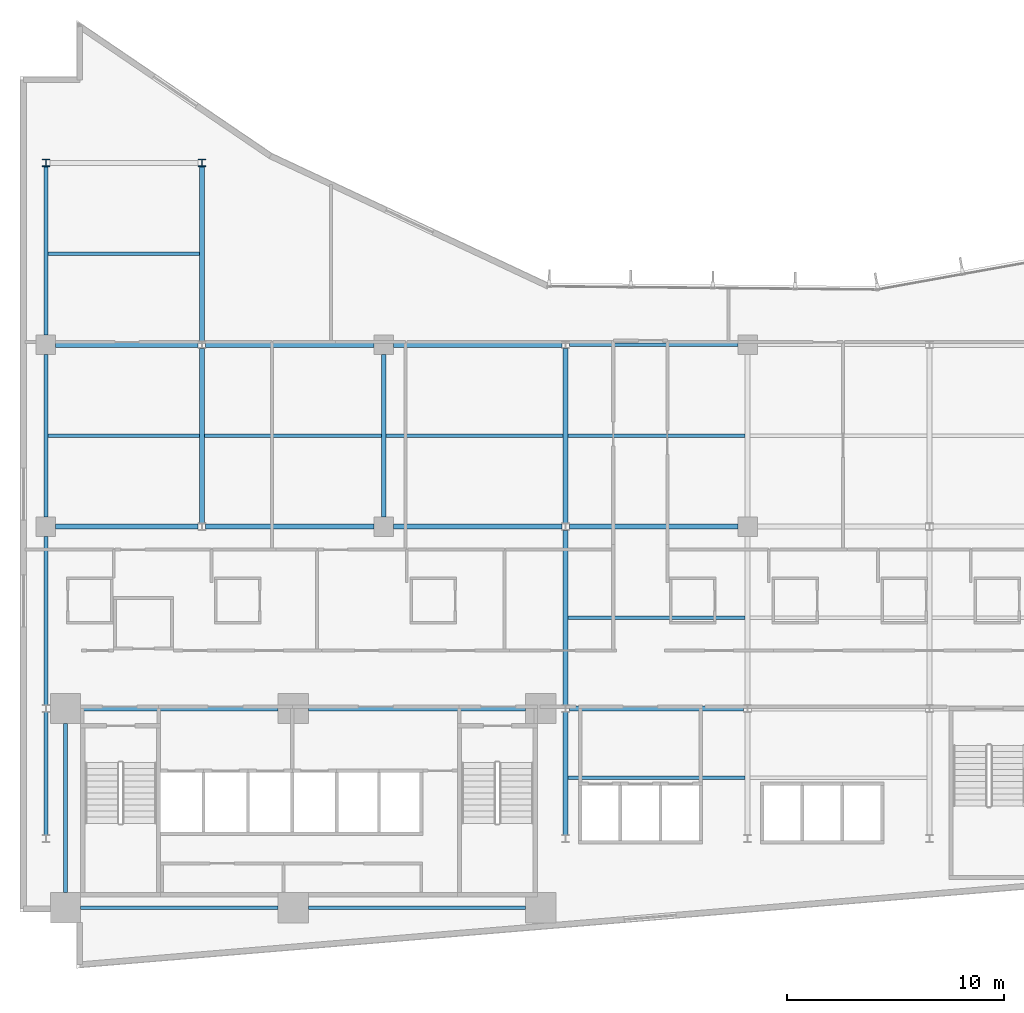
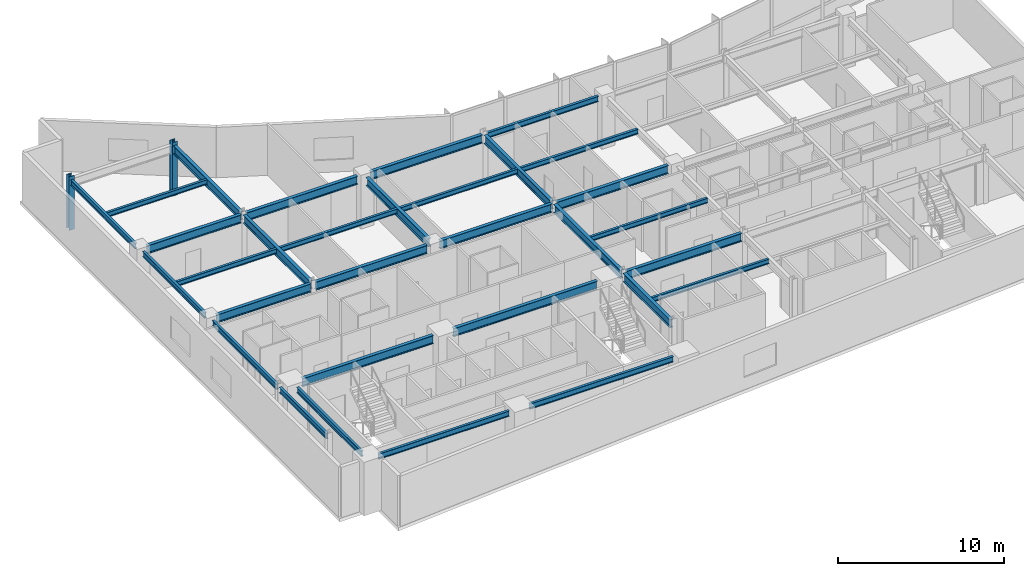
# One storey, part 3 of 19: 31 beams, 2 columns.
"""IFC4 building model written with IfcOpenShell, lengths in metres."""

from ifc_helpers import new_model, si_unit, direction, frame, origin, origin_2d, place, context, subcontext, project, spatial, i_section, extrude, material, material_profile, profile_set, type_object, element, save


model = new_model("IFC4")

# Units and contexts
model_context = context("Model", 3, precision=1e-05, world=origin(), true_north=direction((0.0, 1.0)))
body_context = subcontext(model_context, "Body", "Model", "MODEL_VIEW")
ifc_project = project(units=[si_unit("LENGTHUNIT", "METRE"), si_unit("AREAUNIT", "SQUARE_METRE"), si_unit("VOLUMEUNIT", "CUBIC_METRE"), si_unit("PLANEANGLEUNIT", "RADIAN"), si_unit("MASSUNIT", "GRAM", prefix="KILO")], contexts=[model_context])

# Site, building, storey
site_placement = place(None, origin())
site = spatial("IfcSite", under=ifc_project, at=site_placement, CompositionType="ELEMENT")
building_placement = place(site_placement, origin())
building = spatial("IfcBuilding", under=site, at=building_placement, Name="Varnakote Quay Hospital", CompositionType="ELEMENT")
storey_placement = place(building_placement, frame((0.0, 0.0, 50.14990234375)))
storey = spatial("IfcBuildingStorey", under=building, at=storey_placement, Name="L12", CompositionType="ELEMENT", Elevation=50.14990234375)

# Columns
ifc_material_1 = material(Name="Structural steel AS/NZS 3678 Grade 350 (fy 340 MPa)", Category="steel")
ifc_material_profile_1 = material_profile(ifc_material_1, i_section(OverallWidth=0.35009765625, OverallDepth=0.340087890625, WebThickness=0.01611328125, FlangeThickness=0.028076171875, at=origin_2d()), Name="350WC197")
ifc_profile_set_1 = profile_set([ifc_material_profile_1], Name="Structural steel AS/NZS 3678 Grade 350 (fy 340 MPa)")
column_type = type_object("IfcColumnType", Name="COL-STL-350WC197", PredefinedType="COLUMN", material=ifc_profile_set_1)
for number, where, z_axis, x_axis, name in (
    (1, (1.199951171875, 37.199951171875, 0.0), (0.0, 0.0, 1.0), (1.0, 0.0, 0.0), "L12 Structural Column C-1-37"),
    (2, (8.39990234375, 37.199951171875, 0.0), (0.0, 0.0, 1.0), (1.0, 0.0, 0.0), "L12 Structural Column C-8-37"),
):
    element("IfcColumn", number, at=place(storey_placement, frame(where, z_axis=z_axis, x_axis=x_axis)), inside=storey, type_object=column_type, Name=name, PredefinedType="COLUMN", context=body_context, shape_type="SweptSolid", body=[
        extrude(i_section(OverallWidth=0.35009765625, OverallDepth=0.340087890625, WebThickness=0.01611328125, FlangeThickness=0.028076171875, at=origin_2d()), origin(), (0.0, 0.0, 1.0), 3.9501953125),
    ])

# Beams
ifc_material_2 = material(Name="Structural steel AS/NZS 3679.1 Grade 350 L0 (fy 340 MPa)", Category="steel")
ifc_material_profile_2 = material_profile(ifc_material_2, i_section(OverallWidth=0.22900390625, OverallDepth=0.612060546875, WebThickness=0.011962890625, FlangeThickness=0.01953125, FilletRadius=0.013916015625, at=origin_2d()), Name="610UB125")
ifc_profile_set_2 = profile_set([ifc_material_profile_2], Name="Structural steel AS/NZS 3679.1 Grade 350 L0 (fy 340 MPa)")
beam_type_1 = type_object("IfcBeamType", Name="BM-STL-610UB125", PredefinedType="BEAM", material=ifc_profile_set_2)
beam_1_placement = place(storey_placement, frame((2.800048828125, 12.0, 3.404052734375), z_axis=(1.0, 0.0, 0.0), x_axis=(0.0, 1.0, 0.0)))
element("IfcBeam", 3, at=beam_1_placement, inside=storey, type_object=beam_type_1, Name="L12 Primary Floor Beam", PredefinedType="BEAM", context=body_context, shape_type="SweptSolid", body=[
    extrude(i_section(OverallWidth=0.22900390625, OverallDepth=0.612060546875, WebThickness=0.011962890625, FlangeThickness=0.01953125, FilletRadius=0.013916015625, at=origin_2d()), origin(), (0.0, 0.0, 1.0), 9.119873046875),
])
beam_2_placement = place(storey_placement, frame((13.320068359375, 12.0, 3.404052734375), z_axis=(1.0, 0.0, 0.0), x_axis=(0.0, 1.0, 0.0)))
element("IfcBeam", 4, at=beam_2_placement, inside=storey, type_object=beam_type_1, Name="L12 Primary Floor Beam", PredefinedType="BEAM", context=body_context, shape_type="SweptSolid", body=[
    extrude(i_section(OverallWidth=0.22900390625, OverallDepth=0.612060546875, WebThickness=0.011962890625, FlangeThickness=0.01953125, FilletRadius=0.013916015625, at=origin_2d()), origin(), (0.0, 0.0, 1.0), 10.030029296875),
])
beam_3_placement = place(storey_placement, frame((25.375, 12.0, 3.404052734375), z_axis=(1.0, 0.0, 0.0), x_axis=(0.0, 1.0, 0.0)))
element("IfcBeam", 5, at=beam_3_placement, inside=storey, type_object=beam_type_1, Name="L12 Primary Floor Beam", PredefinedType="BEAM", context=body_context, shape_type="SweptSolid", body=[
    extrude(i_section(OverallWidth=0.22900390625, OverallDepth=0.612060546875, WebThickness=0.011962890625, FlangeThickness=0.01953125, FilletRadius=0.013916015625, at=origin_2d()), origin(), (0.0, 0.0, 1.0), 8.050048828125),
])
beam_4_placement = place(storey_placement, frame((1.64990234375, 20.39990234375, 3.404052734375), z_axis=(1.0, 0.0, 0.0), x_axis=(0.0, 1.0, 0.0)))
element("IfcBeam", 6, at=beam_4_placement, inside=storey, type_object=beam_type_1, Name="L12 Primary Floor Beam", PredefinedType="BEAM", context=body_context, shape_type="SweptSolid", body=[
    extrude(i_section(OverallWidth=0.22900390625, OverallDepth=0.612060546875, WebThickness=0.011962890625, FlangeThickness=0.01953125, FilletRadius=0.013916015625, at=origin_2d()), origin(), (0.0, 0.0, 1.0), 6.5751953125),
])
beam_5_placement = place(storey_placement, frame((8.574951171875, 20.39990234375, 3.404052734375), z_axis=(1.0, 0.0, 0.0), x_axis=(0.0, 1.0, 0.0)))
element("IfcBeam", 7, at=beam_5_placement, inside=storey, type_object=beam_type_1, Name="L12 Primary Floor Beam", PredefinedType="BEAM", context=body_context, shape_type="SweptSolid", body=[
    extrude(i_section(OverallWidth=0.22900390625, OverallDepth=0.612060546875, WebThickness=0.011962890625, FlangeThickness=0.01953125, FilletRadius=0.013916015625, at=origin_2d()), origin(), (0.0, 0.0, 1.0), 7.775146484375),
])
for number, where, z_axis, x_axis, name in (
    (8, (17.25, 20.39990234375, 3.404052734375), (1.0, 0.0, 0.0), (0.0, 1.0, 0.0), "L12 Primary Floor Beam"),
    (9, (25.375, 20.39990234375, 3.404052734375), (1.0, 0.0, 0.0), (0.0, 1.0, 0.0), "L12 Primary Floor Beam"),
):
    element("IfcBeam", number, at=place(storey_placement, frame(where, z_axis=z_axis, x_axis=x_axis)), inside=storey, type_object=beam_type_1, Name=name, PredefinedType="BEAM", context=body_context, shape_type="SweptSolid", body=[
        extrude(i_section(OverallWidth=0.22900390625, OverallDepth=0.612060546875, WebThickness=0.011962890625, FlangeThickness=0.01953125, FilletRadius=0.013916015625, at=origin_2d()), origin(), (0.0, 0.0, 1.0), 7.77490234375),
    ])
beam_6_placement = place(storey_placement, frame((1.64990234375, 28.800048828125, 3.404052734375), z_axis=(1.0, 0.0, 0.0), x_axis=(0.0, 1.0, 0.0)))
element("IfcBeam", 10, at=beam_6_placement, inside=storey, type_object=beam_type_1, Name="L12 Primary Floor Beam", PredefinedType="BEAM", context=body_context, shape_type="SweptSolid", body=[
    extrude(i_section(OverallWidth=0.22900390625, OverallDepth=0.612060546875, WebThickness=0.011962890625, FlangeThickness=0.01953125, FilletRadius=0.013916015625, at=origin_2d()), origin(), (0.0, 0.0, 1.0), 6.5751953125),
])
beam_7_placement = place(storey_placement, frame((8.574951171875, 28.800048828125, 3.404052734375), z_axis=(1.0, 0.0, 0.0), x_axis=(0.0, 1.0, 0.0)))
element("IfcBeam", 11, at=beam_7_placement, inside=storey, type_object=beam_type_1, Name="L12 Primary Floor Beam", PredefinedType="BEAM", context=body_context, shape_type="SweptSolid", body=[
    extrude(i_section(OverallWidth=0.22900390625, OverallDepth=0.612060546875, WebThickness=0.011962890625, FlangeThickness=0.01953125, FilletRadius=0.013916015625, at=origin_2d()), origin(), (0.0, 0.0, 1.0), 7.775146484375),
])
beam_8_placement = place(storey_placement, frame((17.25, 28.800048828125, 3.404052734375), z_axis=(1.0, 0.0, 0.0), x_axis=(0.0, 1.0, 0.0)))
element("IfcBeam", 12, at=beam_8_placement, inside=storey, type_object=beam_type_1, Name="L12 Primary Floor Beam", PredefinedType="BEAM", context=body_context, shape_type="SweptSolid", body=[
    extrude(i_section(OverallWidth=0.22900390625, OverallDepth=0.612060546875, WebThickness=0.011962890625, FlangeThickness=0.01953125, FilletRadius=0.013916015625, at=origin_2d()), origin(), (0.0, 0.0, 1.0), 7.77490234375),
])
beam_9_placement = place(storey_placement, frame((8.39990234375, 20.570068359375, 3.404052734375), z_axis=(0.0, 1.0, 0.0), x_axis=(-1.0, 0.0, 0.0)))
element("IfcBeam", 13, at=beam_9_placement, inside=storey, type_object=beam_type_1, Name="L12 Primary Tie Beam", PredefinedType="BEAM", context=body_context, shape_type="SweptSolid", body=[
    extrude(i_section(OverallWidth=0.22900390625, OverallDepth=0.612060546875, WebThickness=0.011962890625, FlangeThickness=0.01953125, FilletRadius=0.013916015625, at=origin_2d()), origin(), (0.0, 0.0, 1.0), 8.059814453125),
])
beam_10_placement = place(storey_placement, frame((8.39990234375, 28.969970703125, 3.404052734375), z_axis=(0.0, 1.0, 0.0), x_axis=(-1.0, 0.0, 0.0)))
element("IfcBeam", 14, at=beam_10_placement, inside=storey, type_object=beam_type_1, Name="L12 Primary Tie Beam", PredefinedType="BEAM", context=body_context, shape_type="SweptSolid", body=[
    extrude(i_section(OverallWidth=0.22900390625, OverallDepth=0.612060546875, WebThickness=0.011962890625, FlangeThickness=0.01953125, FilletRadius=0.013916015625, at=origin_2d()), origin(), (0.0, 0.0, 1.0), 8.06005859375),
])
beam_11_placement = place(storey_placement, frame((16.800048828125, 20.85009765625, 3.404052734375), z_axis=(0.0, 1.0, 0.0), x_axis=(-1.0, 0.0, 0.0)))
element("IfcBeam", 15, at=beam_11_placement, inside=storey, type_object=beam_type_1, Name="L12 Primary Tie Beam", PredefinedType="BEAM", context=body_context, shape_type="SweptSolid", body=[
    extrude(i_section(OverallWidth=0.22900390625, OverallDepth=0.612060546875, WebThickness=0.011962890625, FlangeThickness=0.01953125, FilletRadius=0.013916015625, at=origin_2d()), origin(), (0.0, 0.0, 1.0), 7.5),
])
beam_12_placement = place(storey_placement, frame((25.199951171875, 6.169921875, 3.404052734375), z_axis=(0.0, 1.0, 0.0), x_axis=(-1.0, 0.0, 0.0)))
element("IfcBeam", 16, at=beam_12_placement, inside=storey, type_object=beam_type_1, Name="L12 Primary Tie Beam", PredefinedType="BEAM", context=body_context, shape_type="SweptSolid", body=[
    extrude(i_section(OverallWidth=0.22900390625, OverallDepth=0.612060546875, WebThickness=0.011962890625, FlangeThickness=0.01953125, FilletRadius=0.013916015625, at=origin_2d()), origin(), (0.0, 0.0, 1.0), 5.66015625),
])
beam_13_placement = place(storey_placement, frame((25.199951171875, 12.169921875, 3.404052734375), z_axis=(0.0, 1.0, 0.0), x_axis=(-1.0, 0.0, 0.0)))
element("IfcBeam", 17, at=beam_13_placement, inside=storey, type_object=beam_type_1, Name="L12 Primary Tie Beam", PredefinedType="BEAM", context=body_context, shape_type="SweptSolid", body=[
    extrude(i_section(OverallWidth=0.22900390625, OverallDepth=0.612060546875, WebThickness=0.011962890625, FlangeThickness=0.01953125, FilletRadius=0.013916015625, at=origin_2d()), origin(), (0.0, 0.0, 1.0), 8.06005859375),
])
beam_14_placement = place(storey_placement, frame((25.199951171875, 20.570068359375, 3.404052734375), z_axis=(0.0, 1.0, 0.0), x_axis=(-1.0, 0.0, 0.0)))
element("IfcBeam", 18, at=beam_14_placement, inside=storey, type_object=beam_type_1, Name="L12 Primary Tie Beam", PredefinedType="BEAM", context=body_context, shape_type="SweptSolid", body=[
    extrude(i_section(OverallWidth=0.22900390625, OverallDepth=0.612060546875, WebThickness=0.011962890625, FlangeThickness=0.01953125, FilletRadius=0.013916015625, at=origin_2d()), origin(), (0.0, 0.0, 1.0), 8.059814453125),
])
ifc_material_3 = material(Name="Structural steel AS/NZS 3679.1 Grade 350 L0 (fy 340 MPa)", Category="steel")
ifc_material_profile_3 = material_profile(ifc_material_3, i_section(OverallWidth=0.1708984375, OverallDepth=0.35595703125, WebThickness=0.00732421875, FlangeThickness=0.011474609375, FilletRadius=0.011474609375, at=origin_2d()), Name="360UB50.7")
ifc_profile_set_3 = profile_set([ifc_material_profile_3], Name="Structural steel AS/NZS 3679.1 Grade 350 L0 (fy 340 MPa)")
beam_type_2 = type_object("IfcBeamType", Name="JST-STL-360UB50-7", PredefinedType="JOIST", material=ifc_profile_set_3)
for number, where, z_axis, x_axis, name in (
    (19, (25.314453125, 8.800048828125, 3.531982421875), (1.0, 0.0, 0.0), (0.0, 1.0, 0.0), "L12 Composite Floor Joist"),
    (20, (25.314453125, 16.199951171875, 3.531982421875), (1.0, 0.0, 0.0), (0.0, 1.0, 0.0), "L12 Composite Floor Joist"),
):
    element("IfcBeam", number, at=place(storey_placement, frame(where, z_axis=z_axis, x_axis=x_axis)), inside=storey, type_object=beam_type_2, Name=name, PredefinedType="JOIST", context=body_context, shape_type="SweptSolid", body=[
        extrude(i_section(OverallWidth=0.1708984375, OverallDepth=0.35595703125, WebThickness=0.00732421875, FlangeThickness=0.011474609375, FilletRadius=0.011474609375, at=origin_2d()), origin(), (0.0, 0.0, 1.0), 8.171142578125),
    ])
beam_15_placement = place(storey_placement, frame((1.2890625, 24.60009765625, 3.531982421875), z_axis=(1.0, 0.0, 0.0), x_axis=(0.0, 1.0, 0.0)))
element("IfcBeam", 21, at=beam_15_placement, inside=storey, type_object=beam_type_2, Name="L12 Composite Floor Joist", PredefinedType="JOIST", context=body_context, shape_type="SweptSolid", body=[
    extrude(i_section(OverallWidth=0.1708984375, OverallDepth=0.35595703125, WebThickness=0.00732421875, FlangeThickness=0.011474609375, FilletRadius=0.011474609375, at=origin_2d()), origin(), (0.0, 0.0, 1.0), 6.996337890625),
])
beam_16_placement = place(storey_placement, frame((8.514404296875, 24.60009765625, 3.531982421875), z_axis=(1.0, 0.0, 0.0), x_axis=(0.0, 1.0, 0.0)))
element("IfcBeam", 22, at=beam_16_placement, inside=storey, type_object=beam_type_2, Name="L12 Composite Floor Joist", PredefinedType="JOIST", context=body_context, shape_type="SweptSolid", body=[
    extrude(i_section(OverallWidth=0.1708984375, OverallDepth=0.35595703125, WebThickness=0.00732421875, FlangeThickness=0.011474609375, FilletRadius=0.011474609375, at=origin_2d()), origin(), (0.0, 0.0, 1.0), 8.171142578125),
])
beam_17_placement = place(storey_placement, frame((16.91455078125, 24.60009765625, 3.531982421875), z_axis=(1.0, 0.0, 0.0), x_axis=(0.0, 1.0, 0.0)))
element("IfcBeam", 23, at=beam_17_placement, inside=storey, type_object=beam_type_2, Name="L12 Composite Floor Joist", PredefinedType="JOIST", context=body_context, shape_type="SweptSolid", body=[
    extrude(i_section(OverallWidth=0.1708984375, OverallDepth=0.35595703125, WebThickness=0.00732421875, FlangeThickness=0.011474609375, FilletRadius=0.011474609375, at=origin_2d()), origin(), (0.0, 0.0, 1.0), 8.1708984375),
])
beam_18_placement = place(storey_placement, frame((25.314453125, 24.60009765625, 3.531982421875), z_axis=(1.0, 0.0, 0.0), x_axis=(0.0, 1.0, 0.0)))
element("IfcBeam", 24, at=beam_18_placement, inside=storey, type_object=beam_type_2, Name="L12 Composite Floor Joist", PredefinedType="JOIST", context=body_context, shape_type="SweptSolid", body=[
    extrude(i_section(OverallWidth=0.1708984375, OverallDepth=0.35595703125, WebThickness=0.00732421875, FlangeThickness=0.011474609375, FilletRadius=0.011474609375, at=origin_2d()), origin(), (0.0, 0.0, 1.0), 8.171142578125),
])
beam_19_placement = place(storey_placement, frame((1.2890625, 33.0, 3.531982421875), z_axis=(1.0, 0.0, 0.0), x_axis=(0.0, 1.0, 0.0)))
element("IfcBeam", 25, at=beam_19_placement, inside=storey, type_object=beam_type_2, Name="L12 Composite Floor Joist", PredefinedType="JOIST", context=body_context, shape_type="SweptSolid", body=[
    extrude(i_section(OverallWidth=0.1708984375, OverallDepth=0.35595703125, WebThickness=0.00732421875, FlangeThickness=0.011474609375, FilletRadius=0.011474609375, at=origin_2d()), origin(), (0.0, 0.0, 1.0), 6.996337890625),
])
ifc_material_4 = material(Name="Structural steel AS/NZS 3679.1 Grade 350 L0 (fy 340 MPa)", Category="steel")
ifc_material_profile_4 = material_profile(ifc_material_4, i_section(OverallWidth=0.177978515625, OverallDepth=0.403076171875, WebThickness=0.007568359375, FlangeThickness=0.010986328125, FilletRadius=0.011474609375, at=origin_2d()), Name="410UB53.7")
ifc_profile_set_4 = profile_set([ifc_material_profile_4], Name="Structural steel AS/NZS 3679.1 Grade 350 L0 (fy 340 MPa)")
beam_type_3 = type_object("IfcBeamType", Name="SPN-STL-410UB53-7", PredefinedType="SPANDREL", material=ifc_profile_set_4)
beam_20_placement = place(storey_placement, frame((1.199951171875, 6.169921875, 3.508544921875), z_axis=(0.0, 1.0, 0.0), x_axis=(-1.0, 0.0, 0.0)))
element("IfcBeam", 26, at=beam_20_placement, inside=storey, type_object=beam_type_3, Name="L12 Perimeter Spandrel Beam", PredefinedType="SPANDREL", context=body_context, shape_type="SweptSolid", body=[
    extrude(i_section(OverallWidth=0.177978515625, OverallDepth=0.403076171875, WebThickness=0.007568359375, FlangeThickness=0.010986328125, FilletRadius=0.011474609375, at=origin_2d()), origin(), (0.0, 0.0, 1.0), 5.66015625),
])
beam_21_placement = place(storey_placement, frame((1.199951171875, 12.169921875, 3.508544921875), z_axis=(0.0, 1.0, 0.0), x_axis=(-1.0, 0.0, 0.0)))
element("IfcBeam", 27, at=beam_21_placement, inside=storey, type_object=beam_type_3, Name="L12 Perimeter Spandrel Beam", PredefinedType="SPANDREL", context=body_context, shape_type="SweptSolid", body=[
    extrude(i_section(OverallWidth=0.177978515625, OverallDepth=0.403076171875, WebThickness=0.007568359375, FlangeThickness=0.010986328125, FilletRadius=0.011474609375, at=origin_2d()), origin(), (0.0, 0.0, 1.0), 7.780029296875),
])
beam_22_placement = place(storey_placement, frame((1.199951171875, 20.85009765625, 3.508544921875), z_axis=(0.0, 1.0, 0.0), x_axis=(-1.0, 0.0, 0.0)))
element("IfcBeam", 28, at=beam_22_placement, inside=storey, type_object=beam_type_3, Name="L12 Perimeter Spandrel Beam", PredefinedType="SPANDREL", context=body_context, shape_type="SweptSolid", body=[
    extrude(i_section(OverallWidth=0.177978515625, OverallDepth=0.403076171875, WebThickness=0.007568359375, FlangeThickness=0.010986328125, FilletRadius=0.011474609375, at=origin_2d()), origin(), (0.0, 0.0, 1.0), 7.5),
])
beam_23_placement = place(storey_placement, frame((1.199951171875, 29.25, 3.508544921875), z_axis=(0.0, 1.0, 0.0), x_axis=(-1.0, 0.0, 0.0)))
element("IfcBeam", 29, at=beam_23_placement, inside=storey, type_object=beam_type_3, Name="L12 Perimeter Spandrel Beam", PredefinedType="SPANDREL", context=body_context, shape_type="SweptSolid", body=[
    extrude(i_section(OverallWidth=0.177978515625, OverallDepth=0.403076171875, WebThickness=0.007568359375, FlangeThickness=0.010986328125, FilletRadius=0.011474609375, at=origin_2d()), origin(), (0.0, 0.0, 1.0), 7.780029296875),
])
beam_24_placement = place(storey_placement, frame((2.10009765625, 3.5, 3.508544921875), z_axis=(0.0, 1.0, 0.0), x_axis=(-1.0, 0.0, 0.0)))
element("IfcBeam", 30, at=beam_24_placement, inside=storey, type_object=beam_type_3, Name="L12 Perimeter Spandrel Beam", PredefinedType="SPANDREL", context=body_context, shape_type="SweptSolid", body=[
    extrude(i_section(OverallWidth=0.177978515625, OverallDepth=0.403076171875, WebThickness=0.007568359375, FlangeThickness=0.010986328125, FilletRadius=0.011474609375, at=origin_2d()), origin(), (0.0, 0.0, 1.0), 7.800048828125),
])
ifc_material_5 = material(Name="Structural steel AS/NZS 3679.1 Grade 350 L0 (fy 340 MPa)", Category="steel")
ifc_material_profile_5 = material_profile(ifc_material_5, i_section(OverallWidth=0.177978515625, OverallDepth=0.406005859375, WebThickness=0.0078125, FlangeThickness=0.0126953125, FilletRadius=0.011474609375, at=origin_2d()), Name="410UB59.7")
ifc_profile_set_5 = profile_set([ifc_material_profile_5], Name="Structural steel AS/NZS 3679.1 Grade 350 L0 (fy 340 MPa)")
beam_type_4 = type_object("IfcBeamType", Name="SPN-STL-410UB59-7", PredefinedType="SPANDREL", material=ifc_profile_set_5)
beam_25_placement = place(storey_placement, frame((2.800048828125, 2.800048828125, 3.507080078125), z_axis=(1.0, 0.0, 0.0), x_axis=(0.0, 1.0, 0.0)))
element("IfcBeam", 31, at=beam_25_placement, inside=storey, type_object=beam_type_4, Name="L12 Perimeter Spandrel Beam", PredefinedType="SPANDREL", context=body_context, shape_type="SweptSolid", body=[
    extrude(i_section(OverallWidth=0.177978515625, OverallDepth=0.406005859375, WebThickness=0.0078125, FlangeThickness=0.0126953125, FilletRadius=0.011474609375, at=origin_2d()), origin(), (0.0, 0.0, 1.0), 9.119873046875),
])
beam_26_placement = place(storey_placement, frame((13.320068359375, 2.800048828125, 3.507080078125), z_axis=(1.0, 0.0, 0.0), x_axis=(0.0, 1.0, 0.0)))
element("IfcBeam", 32, at=beam_26_placement, inside=storey, type_object=beam_type_4, Name="L12 Perimeter Spandrel Beam", PredefinedType="SPANDREL", context=body_context, shape_type="SweptSolid", body=[
    extrude(i_section(OverallWidth=0.177978515625, OverallDepth=0.406005859375, WebThickness=0.0078125, FlangeThickness=0.0126953125, FilletRadius=0.011474609375, at=origin_2d()), origin(), (0.0, 0.0, 1.0), 10.030029296875),
])
beam_27_placement = place(storey_placement, frame((25.375, 28.800048828125, 3.507080078125), z_axis=(1.0, 0.0, 0.0), x_axis=(0.0, 1.0, 0.0)))
element("IfcBeam", 33, at=beam_27_placement, inside=storey, type_object=beam_type_4, Name="L12 Perimeter Spandrel Beam", PredefinedType="SPANDREL", context=body_context, shape_type="SweptSolid", body=[
    extrude(i_section(OverallWidth=0.177978515625, OverallDepth=0.406005859375, WebThickness=0.0078125, FlangeThickness=0.0126953125, FilletRadius=0.011474609375, at=origin_2d()), origin(), (0.0, 0.0, 1.0), 7.77490234375),
])

save(model, "model.ifc")
